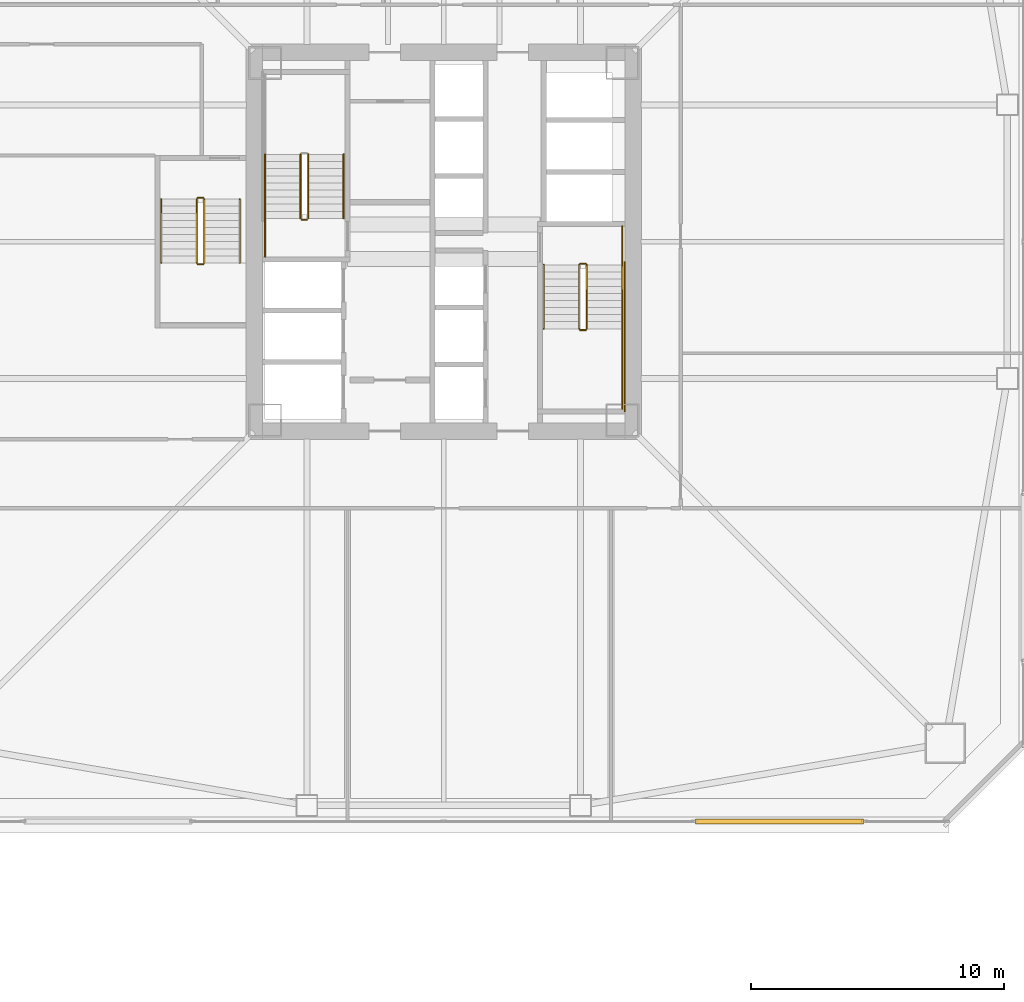
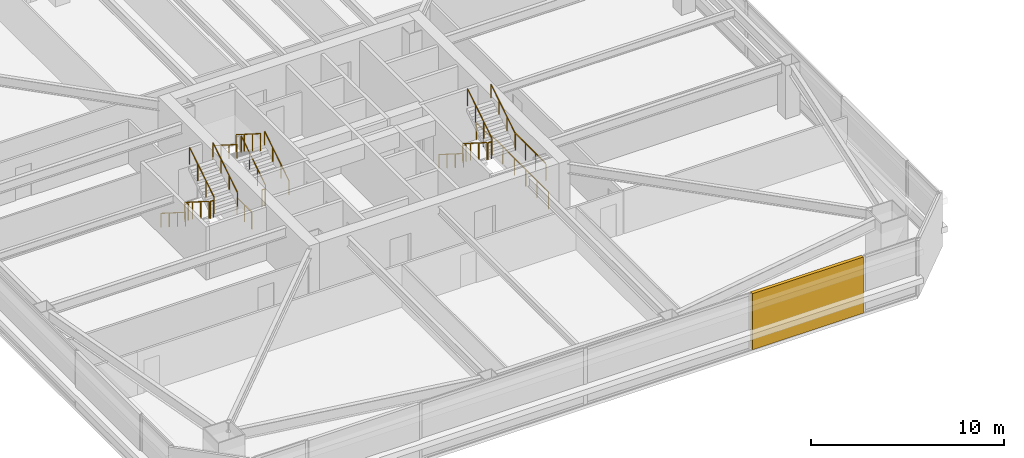
# One storey, part 45 of 51: 21 railings, 1 covering.
"""IFC4 building model written with IfcOpenShell, lengths in metres."""

from ifc_helpers import new_model, si_unit, direction, frame, origin, origin_2d, place, context, subcontext, project, spatial, rectangle, extrude, material, layer, layer_set, type_object, element, save


model = new_model("IFC4")

# Units and contexts
model_context = context("Model", 3, precision=1e-05, world=origin(), true_north=direction((0.0, 1.0)))
body_context = subcontext(model_context, "Body", "Model", "MODEL_VIEW")
ifc_project = project(units=[si_unit("LENGTHUNIT", "METRE"), si_unit("AREAUNIT", "SQUARE_METRE"), si_unit("VOLUMEUNIT", "CUBIC_METRE"), si_unit("PLANEANGLEUNIT", "RADIAN"), si_unit("MASSUNIT", "GRAM", prefix="KILO")], contexts=[model_context])

# Site, building, storey
site_placement = place(None, origin())
site = spatial("IfcSite", under=ifc_project, at=site_placement, CompositionType="ELEMENT")
building_placement = place(site_placement, origin())
building = spatial("IfcBuilding", under=site, at=building_placement, Name="Tashvorn Skyway Center", CompositionType="ELEMENT")
storey_placement = place(building_placement, frame((0.0, 0.0, 49.449951171875)))
storey = spatial("IfcBuildingStorey", under=building, at=storey_placement, Name="L12", CompositionType="ELEMENT", Elevation=49.449951171875)

# Covering
ifc_material_1 = material(Name="Precast concrete C40/50", Category="concrete")
ifc_layer = layer(ifc_material_1, 0.199951171875)
ifc_layer_set = layer_set([ifc_layer], Name="Precast concrete C40/50")
covering_type = type_object("IfcCoveringType", Name="COV-BRACE-CLAD", PredefinedType="CLADDING", material=ifc_layer_set)
covering_placement = place(storey_placement, frame((55.25341796875, 9.1201171875, 0.0), z_axis=(0.0, 0.0, 1.0), x_axis=(-1.0, 0.0, 0.0)))
element("IfcCovering", 1, at=covering_placement, inside=storey, type_object=covering_type, Name="Tower 1 L12 South Unitised Curtain Wall Mega-Brace Cladding Band 1", PredefinedType="CLADDING", context=body_context, shape_type="SweptSolid", body=[
    extrude(rectangle(XDim=6.626708984375, YDim=0.199951171875, at=origin_2d()), origin(), (0.0, 0.0, 1.0), 3.550048828125),
])

# Railings
ifc_material_2 = material(Name="Brushed stainless steel 316", Category="steel")
railing_type_1 = type_object("IfcRailingType", Name="RAIL-HAND-920", PredefinedType="HANDRAIL", material=ifc_material_2)
railing_1_placement = place(storey_placement, frame((38.050048828125, 32.919921875, 0.177490234375)))
element("IfcRailing", 2, at=railing_1_placement, inside=storey, type_object=railing_type_1, Name="L12 ST-T1-1 stair handrail 1", PredefinedType="HANDRAIL", context=body_context, shape_type="SweptSolid", body=[
    extrude(rectangle(XDim=0.048095703125, YDim=0.048095703125, at=origin_2d()), frame((0.0, 0.0, 0.8759765625), z_axis=(0.0, 0.84456994832, 0.535445237532), x_axis=(-1.0, 0.0, 0.0)), (0.0, 0.0, 1.0), 2.98388671875),
    extrude(rectangle(XDim=0.0419921875, YDim=0.0419921875, at=origin_2d()), origin(), (0.0, 0.0, 1.0), 0.851806640625),
    extrude(rectangle(XDim=0.0419921875, YDim=0.0419921875, at=origin_2d()), frame((0.0, 0.840087890625, 0.532470703125)), (0.0, 0.0, 1.0), 0.851806640625),
    extrude(rectangle(XDim=0.0419921875, YDim=0.0419921875, at=origin_2d()), frame((0.0, 1.679931640625, 1.065185546875)), (0.0, 0.0, 1.0), 0.851806640625),
    extrude(rectangle(XDim=0.0419921875, YDim=0.0419921875, at=origin_2d()), frame((0.0, 2.52001953125, 1.59765625)), (0.0, 0.0, 1.0), 0.851806640625),
])
railing_2_placement = place(storey_placement, frame((34.949951171875, 35.43994140625, 1.95263671875)))
element("IfcRailing", 3, at=railing_2_placement, inside=storey, type_object=railing_type_1, Name="L12 ST-T1-1 stair handrail 2", PredefinedType="HANDRAIL", context=body_context, shape_type="SweptSolid", body=[
    extrude(rectangle(XDim=0.048095703125, YDim=0.048095703125, at=origin_2d()), frame((0.0, 0.0, 0.8759765625), z_axis=(0.0, -0.84460694969, 0.535386869969), x_axis=(1.0, 0.0, 0.0)), (0.0, 0.0, 1.0), 2.983642578125),
    extrude(rectangle(XDim=0.0419921875, YDim=0.0419921875, at=origin_2d()), origin(), (0.0, 0.0, 1.0), 0.851806640625),
    extrude(rectangle(XDim=0.0419921875, YDim=0.0419921875, at=origin_2d()), frame((0.0, -0.840087890625, 0.532470703125)), (0.0, 0.0, 1.0), 0.851806640625),
    extrude(rectangle(XDim=0.0419921875, YDim=0.0419921875, at=origin_2d()), frame((0.0, -1.679931640625, 1.06494140625)), (0.0, 0.0, 1.0), 0.851806640625),
    extrude(rectangle(XDim=0.0419921875, YDim=0.0419921875, at=origin_2d()), frame((0.0, -2.52001953125, 1.597412109375)), (0.0, 0.0, 1.0), 0.851806640625),
])
railing_3_placement = place(storey_placement, frame((45.949951171875, 31.080078125, 0.177490234375)))
element("IfcRailing", 4, at=railing_3_placement, inside=storey, type_object=railing_type_1, Name="L12 ST-T1-2 stair handrail 1", PredefinedType="HANDRAIL", context=body_context, shape_type="SweptSolid", body=[
    extrude(rectangle(XDim=0.048095703125, YDim=0.048095703125, at=origin_2d()), frame((0.0, 0.0, 0.8759765625), z_axis=(0.0, -0.84456994832, 0.535445237532), x_axis=(1.0, 0.0, 0.0)), (0.0, 0.0, 1.0), 2.98388671875),
    extrude(rectangle(XDim=0.0419921875, YDim=0.0419921875, at=origin_2d()), origin(), (0.0, 0.0, 1.0), 0.851806640625),
    extrude(rectangle(XDim=0.0419921875, YDim=0.0419921875, at=origin_2d()), frame((0.0, -0.840087890625, 0.532470703125)), (0.0, 0.0, 1.0), 0.851806640625),
    extrude(rectangle(XDim=0.0419921875, YDim=0.0419921875, at=origin_2d()), frame((0.0, -1.679931640625, 1.065185546875)), (0.0, 0.0, 1.0), 0.851806640625),
    extrude(rectangle(XDim=0.0419921875, YDim=0.0419921875, at=origin_2d()), frame((0.0, -2.52001953125, 1.59765625)), (0.0, 0.0, 1.0), 0.851806640625),
])
railing_4_placement = place(storey_placement, frame((49.050048828125, 28.56005859375, 1.95263671875)))
element("IfcRailing", 5, at=railing_4_placement, inside=storey, type_object=railing_type_1, Name="L12 ST-T1-2 stair handrail 2", PredefinedType="HANDRAIL", context=body_context, shape_type="SweptSolid", body=[
    extrude(rectangle(XDim=0.048095703125, YDim=0.048095703125, at=origin_2d()), frame((0.0, 0.0, 0.8759765625), z_axis=(0.0, 0.84460694969, 0.535386869969), x_axis=(-1.0, 0.0, 0.0)), (0.0, 0.0, 1.0), 2.983642578125),
    extrude(rectangle(XDim=0.0419921875, YDim=0.0419921875, at=origin_2d()), origin(), (0.0, 0.0, 1.0), 0.851806640625),
    extrude(rectangle(XDim=0.0419921875, YDim=0.0419921875, at=origin_2d()), frame((0.0, 0.840087890625, 0.532470703125)), (0.0, 0.0, 1.0), 0.851806640625),
    extrude(rectangle(XDim=0.0419921875, YDim=0.0419921875, at=origin_2d()), frame((0.0, 1.679931640625, 1.06494140625)), (0.0, 0.0, 1.0), 0.851806640625),
    extrude(rectangle(XDim=0.0419921875, YDim=0.0419921875, at=origin_2d()), frame((0.0, 2.52001953125, 1.597412109375)), (0.0, 0.0, 1.0), 0.851806640625),
])
railing_5_placement = place(storey_placement, frame((30.85009765625, 33.679931640625, 0.177490234375)))
element("IfcRailing", 6, at=railing_5_placement, inside=storey, type_object=railing_type_1, Name="L12 ST-T1-3 stair handrail 1", PredefinedType="HANDRAIL", context=body_context, shape_type="SweptSolid", body=[
    extrude(rectangle(XDim=0.048095703125, YDim=0.048095703125, at=origin_2d()), frame((0.0, 0.0, 0.8759765625), z_axis=(0.0, -0.84456994832, 0.535445237532), x_axis=(1.0, 0.0, 0.0)), (0.0, 0.0, 1.0), 2.98388671875),
    extrude(rectangle(XDim=0.0419921875, YDim=0.0419921875, at=origin_2d()), origin(), (0.0, 0.0, 1.0), 0.851806640625),
    extrude(rectangle(XDim=0.0419921875, YDim=0.0419921875, at=origin_2d()), frame((0.0, -0.840087890625, 0.532470703125)), (0.0, 0.0, 1.0), 0.851806640625),
    extrude(rectangle(XDim=0.0419921875, YDim=0.0419921875, at=origin_2d()), frame((0.0, -1.679931640625, 1.065185546875)), (0.0, 0.0, 1.0), 0.851806640625),
    extrude(rectangle(XDim=0.0419921875, YDim=0.0419921875, at=origin_2d()), frame((0.0, -2.52001953125, 1.59765625)), (0.0, 0.0, 1.0), 0.851806640625),
])
railing_6_placement = place(storey_placement, frame((33.949951171875, 31.159912109375, 1.95263671875)))
element("IfcRailing", 7, at=railing_6_placement, inside=storey, type_object=railing_type_1, Name="L12 ST-T1-3 stair handrail 2", PredefinedType="HANDRAIL", context=body_context, shape_type="SweptSolid", body=[
    extrude(rectangle(XDim=0.048095703125, YDim=0.048095703125, at=origin_2d()), frame((0.0, 0.0, 0.8759765625), z_axis=(0.0, 0.84460694969, 0.535386869969), x_axis=(-1.0, 0.0, 0.0)), (0.0, 0.0, 1.0), 2.983642578125),
    extrude(rectangle(XDim=0.0419921875, YDim=0.0419921875, at=origin_2d()), origin(), (0.0, 0.0, 1.0), 0.851806640625),
    extrude(rectangle(XDim=0.0419921875, YDim=0.0419921875, at=origin_2d()), frame((0.0, 0.840087890625, 0.532470703125)), (0.0, 0.0, 1.0), 0.851806640625),
    extrude(rectangle(XDim=0.0419921875, YDim=0.0419921875, at=origin_2d()), frame((0.0, 1.679931640625, 1.06494140625)), (0.0, 0.0, 1.0), 0.851806640625),
    extrude(rectangle(XDim=0.0419921875, YDim=0.0419921875, at=origin_2d()), frame((0.0, 2.52001953125, 1.597412109375)), (0.0, 0.0, 1.0), 0.851806640625),
])
ifc_material_3 = material(Name="Painted galvanized steel S355", Category="steel")
railing_type_2 = type_object("IfcRailingType", Name="RAIL-STGUARD-1100", PredefinedType="GUARDRAIL", material=ifc_material_3)
railing_7_placement = place(storey_placement, frame((36.64990234375, 32.919921875, 0.177490234375)))
element("IfcRailing", 8, at=railing_7_placement, inside=storey, type_object=railing_type_2, Name="L12 ST-T1-1 stair guard 1", PredefinedType="GUARDRAIL", context=body_context, shape_type="SweptSolid", body=[
    extrude(rectangle(XDim=0.048095703125, YDim=0.048095703125, at=origin_2d()), frame((0.0, 0.0, 1.076171875), z_axis=(0.0, 0.84456994832, 0.535445237532), x_axis=(-1.0, 0.0, 0.0)), (0.0, 0.0, 1.0), 2.98388671875),
    extrude(rectangle(XDim=0.0419921875, YDim=0.0419921875, at=origin_2d()), origin(), (0.0, 0.0, 1.0), 1.052001953125),
    extrude(rectangle(XDim=0.0419921875, YDim=0.0419921875, at=origin_2d()), frame((0.0, 0.840087890625, 0.532470703125)), (0.0, 0.0, 1.0), 1.052001953125),
    extrude(rectangle(XDim=0.0419921875, YDim=0.0419921875, at=origin_2d()), frame((0.0, 1.679931640625, 1.065185546875)), (0.0, 0.0, 1.0), 1.052001953125),
    extrude(rectangle(XDim=0.0419921875, YDim=0.0419921875, at=origin_2d()), frame((0.0, 2.52001953125, 1.59765625)), (0.0, 0.0, 1.0), 1.052001953125),
])
railing_8_placement = place(storey_placement, frame((36.35009765625, 35.43994140625, 1.95263671875)))
element("IfcRailing", 9, at=railing_8_placement, inside=storey, type_object=railing_type_2, Name="L12 ST-T1-1 stair guard 4", PredefinedType="GUARDRAIL", context=body_context, shape_type="SweptSolid", body=[
    extrude(rectangle(XDim=0.048095703125, YDim=0.048095703125, at=origin_2d()), frame((0.0, 0.0, 1.076171875), z_axis=(0.0, -0.84460694969, 0.535386869969), x_axis=(1.0, 0.0, 0.0)), (0.0, 0.0, 1.0), 2.983642578125),
    extrude(rectangle(XDim=0.0419921875, YDim=0.0419921875, at=origin_2d()), origin(), (0.0, 0.0, 1.0), 1.052001953125),
    extrude(rectangle(XDim=0.0419921875, YDim=0.0419921875, at=origin_2d()), frame((0.0, -0.840087890625, 0.532470703125)), (0.0, 0.0, 1.0), 1.052001953125),
    extrude(rectangle(XDim=0.0419921875, YDim=0.0419921875, at=origin_2d()), frame((0.0, -1.679931640625, 1.06494140625)), (0.0, 0.0, 1.0), 1.052001953125),
    extrude(rectangle(XDim=0.0419921875, YDim=0.0419921875, at=origin_2d()), frame((0.0, -2.52001953125, 1.597412109375)), (0.0, 0.0, 1.0), 1.052001953125),
])
railing_9_placement = place(storey_placement, frame((36.60009765625, 32.8701171875, 0.0)))
element("IfcRailing", 10, at=railing_9_placement, inside=storey, type_object=railing_type_2, Name="L12 ST-T1-1 stair guard 5", PredefinedType="GUARDRAIL", context=body_context, shape_type="SweptSolid", body=[
    extrude(rectangle(XDim=0.048095703125, YDim=0.048095703125, at=origin_2d()), frame((0.0, 0.0, 1.076171875), z_axis=(-1.0, 0.0, 0.0), x_axis=(0.0, -1.0, 0.0)), (0.0, 0.0, 1.0), 0.2001953125),
    extrude(rectangle(XDim=0.0419921875, YDim=0.0419921875, at=origin_2d()), origin(), (0.0, 0.0, 1.0), 1.052001953125),
    extrude(rectangle(XDim=0.0419921875, YDim=0.0419921875, at=origin_2d()), frame((-0.2001953125, 0.0, 0.0)), (0.0, 0.0, 1.0), 1.052001953125),
])
railing_10_placement = place(storey_placement, frame((34.949951171875, 31.39990234375, 0.0)))
element("IfcRailing", 11, at=railing_10_placement, inside=storey, type_object=railing_type_2, Name="L12 ST-T1-1 stair guard 6", PredefinedType="GUARDRAIL", context=body_context, shape_type="SweptSolid", body=[
    extrude(rectangle(XDim=0.048095703125, YDim=0.048095703125, at=origin_2d()), frame((0.0, 0.0, 1.076171875), z_axis=(0.0, 1.0, 0.0), x_axis=(-1.0, 0.0, 0.0)), (0.0, 0.0, 1.0), 1.52001953125),
    extrude(rectangle(XDim=0.0419921875, YDim=0.0419921875, at=origin_2d()), origin(), (0.0, 0.0, 1.0), 1.052001953125),
    extrude(rectangle(XDim=0.0419921875, YDim=0.0419921875, at=origin_2d()), frame((0.0, 0.760009765625, 0.0)), (0.0, 0.0, 1.0), 1.052001953125),
    extrude(rectangle(XDim=0.0419921875, YDim=0.0419921875, at=origin_2d()), frame((0.0, 1.52001953125, 0.0)), (0.0, 0.0, 1.0), 1.052001953125),
])
railing_11_placement = place(storey_placement, frame((47.35009765625, 31.080078125, 0.177490234375)))
element("IfcRailing", 12, at=railing_11_placement, inside=storey, type_object=railing_type_2, Name="L12 ST-T1-2 stair guard 1", PredefinedType="GUARDRAIL", context=body_context, shape_type="SweptSolid", body=[
    extrude(rectangle(XDim=0.048095703125, YDim=0.048095703125, at=origin_2d()), frame((0.0, 0.0, 1.076171875), z_axis=(0.0, -0.84456994832, 0.535445237532), x_axis=(1.0, 0.0, 0.0)), (0.0, 0.0, 1.0), 2.98388671875),
    extrude(rectangle(XDim=0.0419921875, YDim=0.0419921875, at=origin_2d()), origin(), (0.0, 0.0, 1.0), 1.052001953125),
    extrude(rectangle(XDim=0.0419921875, YDim=0.0419921875, at=origin_2d()), frame((0.0, -0.840087890625, 0.532470703125)), (0.0, 0.0, 1.0), 1.052001953125),
    extrude(rectangle(XDim=0.0419921875, YDim=0.0419921875, at=origin_2d()), frame((0.0, -1.679931640625, 1.065185546875)), (0.0, 0.0, 1.0), 1.052001953125),
    extrude(rectangle(XDim=0.0419921875, YDim=0.0419921875, at=origin_2d()), frame((0.0, -2.52001953125, 1.59765625)), (0.0, 0.0, 1.0), 1.052001953125),
])
railing_12_placement = place(storey_placement, frame((47.39990234375, 28.510009765625, 1.775146484375)))
element("IfcRailing", 13, at=railing_12_placement, inside=storey, type_object=railing_type_2, Name="L12 ST-T1-2 stair guard 2", PredefinedType="GUARDRAIL", context=body_context, shape_type="SweptSolid", body=[
    extrude(rectangle(XDim=0.048095703125, YDim=0.048095703125, at=origin_2d()), frame((0.0, 0.0, 1.076171875), z_axis=(1.0, 0.0, 0.0), x_axis=(0.0, 1.0, 0.0)), (0.0, 0.0, 1.0), 0.2001953125),
    extrude(rectangle(XDim=0.0419921875, YDim=0.0419921875, at=origin_2d()), origin(), (0.0, 0.0, 1.0), 1.052001953125),
    extrude(rectangle(XDim=0.0419921875, YDim=0.0419921875, at=origin_2d()), frame((0.2001953125, 0.0, 0.0)), (0.0, 0.0, 1.0), 1.052001953125),
])
railing_13_placement = place(storey_placement, frame((49.050048828125, 28.56005859375, 1.775146484375)))
element("IfcRailing", 14, at=railing_13_placement, inside=storey, type_object=railing_type_2, Name="L12 ST-T1-2 stair guard 3", PredefinedType="GUARDRAIL", context=body_context, shape_type="SweptSolid", body=[
    extrude(rectangle(XDim=0.048095703125, YDim=0.048095703125, at=origin_2d()), frame((0.0, 0.0, 1.076171875), z_axis=(0.0, -1.0, 0.0), x_axis=(1.0, 0.0, 0.0)), (0.0, 0.0, 1.0), 3.16015625),
    extrude(rectangle(XDim=0.0419921875, YDim=0.0419921875, at=origin_2d()), origin(), (0.0, 0.0, 1.0), 1.052001953125),
    extrude(rectangle(XDim=0.0419921875, YDim=0.0419921875, at=origin_2d()), frame((0.0, -1.053466796875, 0.0)), (0.0, 0.0, 1.0), 1.052001953125),
    extrude(rectangle(XDim=0.0419921875, YDim=0.0419921875, at=origin_2d()), frame((0.0, -2.106689453125, 0.0)), (0.0, 0.0, 1.0), 1.052001953125),
    extrude(rectangle(XDim=0.0419921875, YDim=0.0419921875, at=origin_2d()), frame((0.0, -3.16015625, 0.0)), (0.0, 0.0, 1.0), 1.052001953125),
])
railing_14_placement = place(storey_placement, frame((47.64990234375, 28.56005859375, 1.95263671875)))
element("IfcRailing", 15, at=railing_14_placement, inside=storey, type_object=railing_type_2, Name="L12 ST-T1-2 stair guard 4", PredefinedType="GUARDRAIL", context=body_context, shape_type="SweptSolid", body=[
    extrude(rectangle(XDim=0.048095703125, YDim=0.048095703125, at=origin_2d()), frame((0.0, 0.0, 1.076171875), z_axis=(0.0, 0.84460694969, 0.535386869969), x_axis=(-1.0, 0.0, 0.0)), (0.0, 0.0, 1.0), 2.983642578125),
    extrude(rectangle(XDim=0.0419921875, YDim=0.0419921875, at=origin_2d()), origin(), (0.0, 0.0, 1.0), 1.052001953125),
    extrude(rectangle(XDim=0.0419921875, YDim=0.0419921875, at=origin_2d()), frame((0.0, 0.840087890625, 0.532470703125)), (0.0, 0.0, 1.0), 1.052001953125),
    extrude(rectangle(XDim=0.0419921875, YDim=0.0419921875, at=origin_2d()), frame((0.0, 1.679931640625, 1.06494140625)), (0.0, 0.0, 1.0), 1.052001953125),
    extrude(rectangle(XDim=0.0419921875, YDim=0.0419921875, at=origin_2d()), frame((0.0, 2.52001953125, 1.597412109375)), (0.0, 0.0, 1.0), 1.052001953125),
])
railing_15_placement = place(storey_placement, frame((47.39990234375, 31.1298828125, 0.0)))
element("IfcRailing", 16, at=railing_15_placement, inside=storey, type_object=railing_type_2, Name="L12 ST-T1-2 stair guard 5", PredefinedType="GUARDRAIL", context=body_context, shape_type="SweptSolid", body=[
    extrude(rectangle(XDim=0.048095703125, YDim=0.048095703125, at=origin_2d()), frame((0.0, 0.0, 1.076171875), z_axis=(1.0, 0.0, 0.0), x_axis=(0.0, 1.0, 0.0)), (0.0, 0.0, 1.0), 0.2001953125),
    extrude(rectangle(XDim=0.0419921875, YDim=0.0419921875, at=origin_2d()), origin(), (0.0, 0.0, 1.0), 1.052001953125),
    extrude(rectangle(XDim=0.0419921875, YDim=0.0419921875, at=origin_2d()), frame((0.2001953125, 0.0, 0.0)), (0.0, 0.0, 1.0), 1.052001953125),
])
railing_16_placement = place(storey_placement, frame((49.050048828125, 32.60009765625, 0.0)))
element("IfcRailing", 17, at=railing_16_placement, inside=storey, type_object=railing_type_2, Name="L12 ST-T1-2 stair guard 6", PredefinedType="GUARDRAIL", context=body_context, shape_type="SweptSolid", body=[
    extrude(rectangle(XDim=0.048095703125, YDim=0.048095703125, at=origin_2d()), frame((0.0, 0.0, 1.076171875), z_axis=(0.0, -1.0, 0.0), x_axis=(1.0, 0.0, 0.0)), (0.0, 0.0, 1.0), 1.52001953125),
    extrude(rectangle(XDim=0.0419921875, YDim=0.0419921875, at=origin_2d()), origin(), (0.0, 0.0, 1.0), 1.052001953125),
    extrude(rectangle(XDim=0.0419921875, YDim=0.0419921875, at=origin_2d()), frame((0.0, -0.760009765625, 0.0)), (0.0, 0.0, 1.0), 1.052001953125),
    extrude(rectangle(XDim=0.0419921875, YDim=0.0419921875, at=origin_2d()), frame((0.0, -1.52001953125, 0.0)), (0.0, 0.0, 1.0), 1.052001953125),
])
railing_17_placement = place(storey_placement, frame((49.14990234375, 31.179931640625, 0.0)))
element("IfcRailing", 18, at=railing_17_placement, inside=storey, type_object=railing_type_2, Name="L12 ST-T1-2 stair guard 7", PredefinedType="GUARDRAIL", context=body_context, shape_type="SweptSolid", body=[
    extrude(rectangle(XDim=0.048095703125, YDim=0.048095703125, at=origin_2d()), frame((0.0, 0.0, 1.076171875), z_axis=(0.0, -1.0, 0.0), x_axis=(1.0, 0.0, 0.0)), (0.0, 0.0, 1.0), 5.8798828125),
    extrude(rectangle(XDim=0.0419921875, YDim=0.0419921875, at=origin_2d()), origin(), (0.0, 0.0, 1.0), 1.052001953125),
    extrude(rectangle(XDim=0.0419921875, YDim=0.0419921875, at=origin_2d()), frame((0.0, -1.176025390625, 0.0)), (0.0, 0.0, 1.0), 1.052001953125),
    extrude(rectangle(XDim=0.0419921875, YDim=0.0419921875, at=origin_2d()), frame((0.0, -2.35205078125, 0.0)), (0.0, 0.0, 1.0), 1.052001953125),
    extrude(rectangle(XDim=0.0419921875, YDim=0.0419921875, at=origin_2d()), frame((0.0, -3.52783203125, 0.0)), (0.0, 0.0, 1.0), 1.052001953125),
    extrude(rectangle(XDim=0.0419921875, YDim=0.0419921875, at=origin_2d()), frame((0.0, -4.703857421875, 0.0)), (0.0, 0.0, 1.0), 1.052001953125),
    extrude(rectangle(XDim=0.0419921875, YDim=0.0419921875, at=origin_2d()), frame((0.0, -5.8798828125, 0.0)), (0.0, 0.0, 1.0), 1.052001953125),
])
railing_18_placement = place(storey_placement, frame((32.25, 33.679931640625, 0.177490234375)))
element("IfcRailing", 19, at=railing_18_placement, inside=storey, type_object=railing_type_2, Name="L12 ST-T1-3 stair guard 1", PredefinedType="GUARDRAIL", context=body_context, shape_type="SweptSolid", body=[
    extrude(rectangle(XDim=0.048095703125, YDim=0.048095703125, at=origin_2d()), frame((0.0, 0.0, 1.076171875), z_axis=(0.0, -0.84456994832, 0.535445237532), x_axis=(1.0, 0.0, 0.0)), (0.0, 0.0, 1.0), 2.98388671875),
    extrude(rectangle(XDim=0.0419921875, YDim=0.0419921875, at=origin_2d()), origin(), (0.0, 0.0, 1.0), 1.052001953125),
    extrude(rectangle(XDim=0.0419921875, YDim=0.0419921875, at=origin_2d()), frame((0.0, -0.840087890625, 0.532470703125)), (0.0, 0.0, 1.0), 1.052001953125),
    extrude(rectangle(XDim=0.0419921875, YDim=0.0419921875, at=origin_2d()), frame((0.0, -1.679931640625, 1.065185546875)), (0.0, 0.0, 1.0), 1.052001953125),
    extrude(rectangle(XDim=0.0419921875, YDim=0.0419921875, at=origin_2d()), frame((0.0, -2.52001953125, 1.59765625)), (0.0, 0.0, 1.0), 1.052001953125),
])
railing_19_placement = place(storey_placement, frame((32.300048828125, 31.110107421875, 1.775146484375)))
element("IfcRailing", 20, at=railing_19_placement, inside=storey, type_object=railing_type_2, Name="L12 ST-T1-3 stair guard 2", PredefinedType="GUARDRAIL", context=body_context, shape_type="SweptSolid", body=[
    extrude(rectangle(XDim=0.048095703125, YDim=0.048095703125, at=origin_2d()), frame((0.0, 0.0, 1.076171875), z_axis=(1.0, 0.0, 0.0), x_axis=(0.0, 1.0, 0.0)), (0.0, 0.0, 1.0), 0.199951171875),
    extrude(rectangle(XDim=0.0419921875, YDim=0.0419921875, at=origin_2d()), origin(), (0.0, 0.0, 1.0), 1.052001953125),
    extrude(rectangle(XDim=0.0419921875, YDim=0.0419921875, at=origin_2d()), frame((0.199951171875, 0.0, 0.0)), (0.0, 0.0, 1.0), 1.052001953125),
])
railing_20_placement = place(storey_placement, frame((32.550048828125, 31.159912109375, 1.95263671875)))
element("IfcRailing", 21, at=railing_20_placement, inside=storey, type_object=railing_type_2, Name="L12 ST-T1-3 stair guard 3", PredefinedType="GUARDRAIL", context=body_context, shape_type="SweptSolid", body=[
    extrude(rectangle(XDim=0.048095703125, YDim=0.048095703125, at=origin_2d()), frame((0.0, 0.0, 1.076171875), z_axis=(0.0, 0.84460694969, 0.535386869969), x_axis=(-1.0, 0.0, 0.0)), (0.0, 0.0, 1.0), 2.983642578125),
    extrude(rectangle(XDim=0.0419921875, YDim=0.0419921875, at=origin_2d()), origin(), (0.0, 0.0, 1.0), 1.052001953125),
    extrude(rectangle(XDim=0.0419921875, YDim=0.0419921875, at=origin_2d()), frame((0.0, 0.840087890625, 0.532470703125)), (0.0, 0.0, 1.0), 1.052001953125),
    extrude(rectangle(XDim=0.0419921875, YDim=0.0419921875, at=origin_2d()), frame((0.0, 1.679931640625, 1.06494140625)), (0.0, 0.0, 1.0), 1.052001953125),
    extrude(rectangle(XDim=0.0419921875, YDim=0.0419921875, at=origin_2d()), frame((0.0, 2.52001953125, 1.597412109375)), (0.0, 0.0, 1.0), 1.052001953125),
])
railing_21_placement = place(storey_placement, frame((32.300048828125, 33.72998046875, 0.0)))
element("IfcRailing", 22, at=railing_21_placement, inside=storey, type_object=railing_type_2, Name="L12 ST-T1-3 stair guard 4", PredefinedType="GUARDRAIL", context=body_context, shape_type="SweptSolid", body=[
    extrude(rectangle(XDim=0.048095703125, YDim=0.048095703125, at=origin_2d()), frame((0.0, 0.0, 1.076171875), z_axis=(1.0, 0.0, 0.0), x_axis=(0.0, 1.0, 0.0)), (0.0, 0.0, 1.0), 0.199951171875),
    extrude(rectangle(XDim=0.0419921875, YDim=0.0419921875, at=origin_2d()), origin(), (0.0, 0.0, 1.0), 1.052001953125),
    extrude(rectangle(XDim=0.0419921875, YDim=0.0419921875, at=origin_2d()), frame((0.199951171875, 0.0, 0.0)), (0.0, 0.0, 1.0), 1.052001953125),
])

save(model, "model.ifc")
